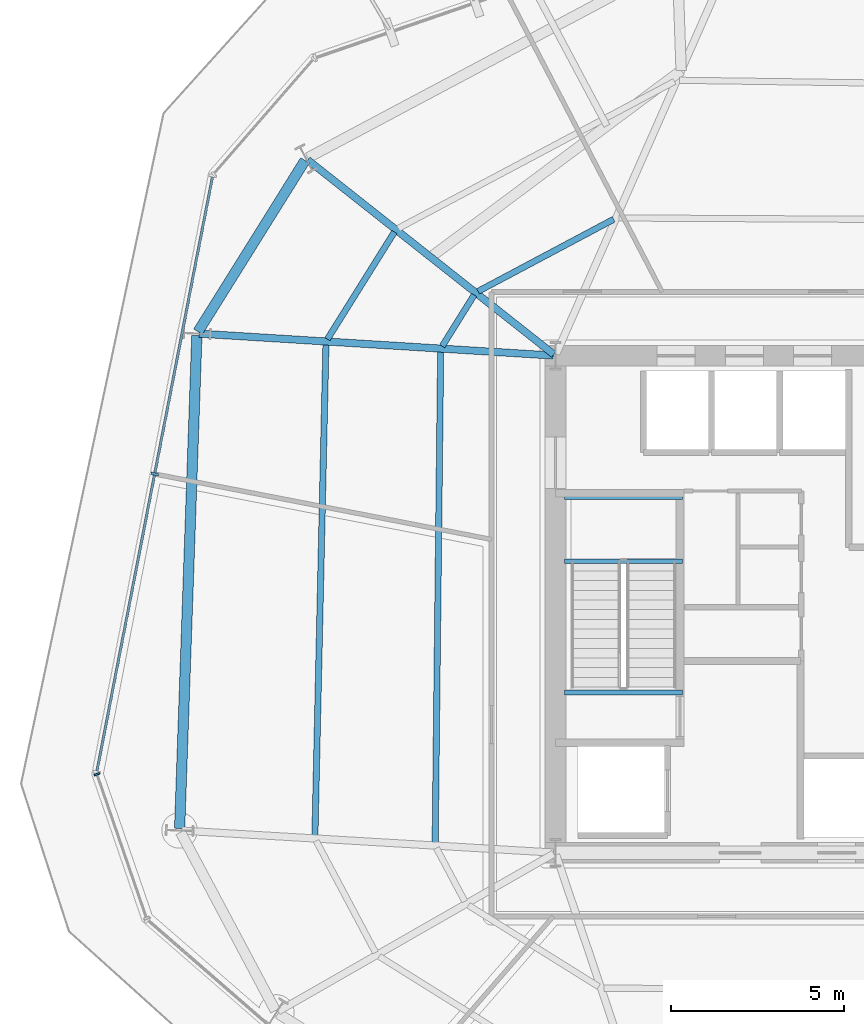
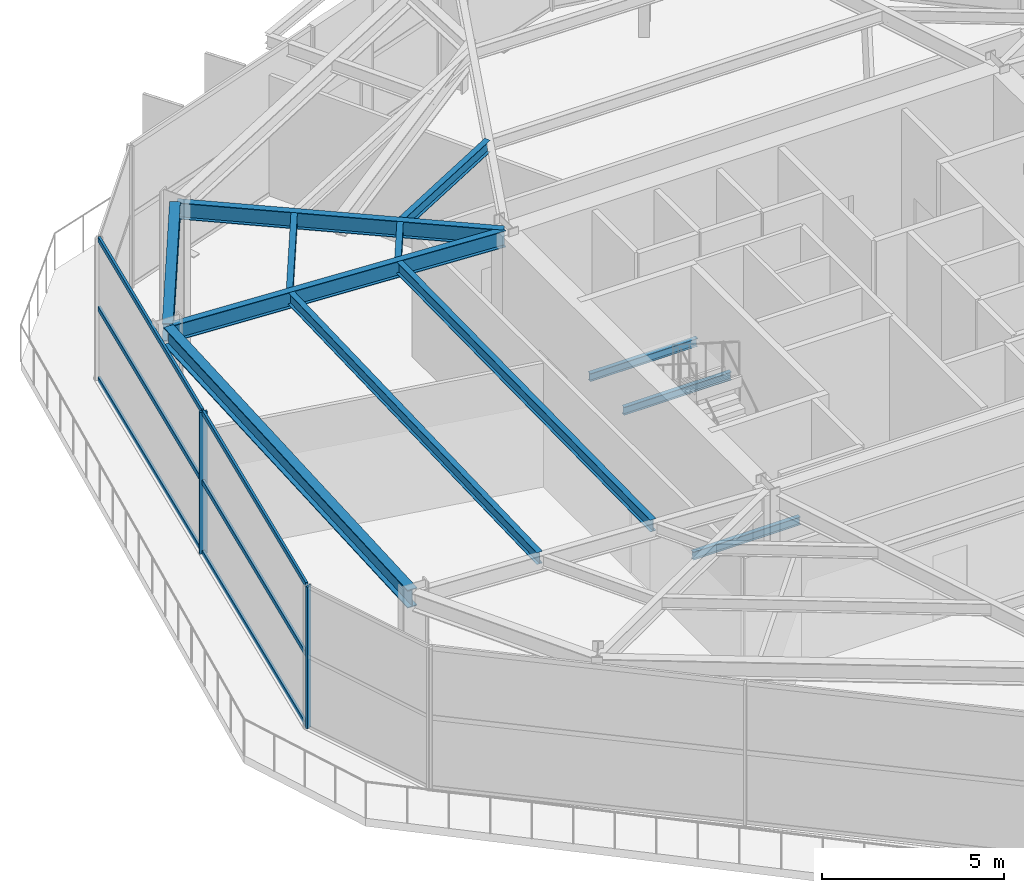
# One storey, part 4 of 16: 12 beams, 8 members, 2 elements without a shape of their own.
"""IFC4 building model written with IfcOpenShell, lengths in metres."""

from ifc_helpers import new_model, si_unit, direction, frame, origin, origin_2d, place, context, subcontext, project, spatial, rectangle, i_section, extrude, material, layer, layer_set, material_profile, profile_set, type_object, element, aggregate, save


model = new_model("IFC4")

# Units and contexts
model_context = context("Model", 3, precision=1e-05, world=origin(), true_north=direction((0.0, 1.0)))
body_context = subcontext(model_context, "Body", "Model", "MODEL_VIEW")
ifc_project = project(units=[si_unit("LENGTHUNIT", "METRE"), si_unit("AREAUNIT", "SQUARE_METRE"), si_unit("VOLUMEUNIT", "CUBIC_METRE"), si_unit("PLANEANGLEUNIT", "RADIAN"), si_unit("MASSUNIT", "GRAM", prefix="KILO")], contexts=[model_context])

# Site, building, storey
site_placement = place(None, origin())
site = spatial("IfcSite", under=ifc_project, at=site_placement, CompositionType="ELEMENT")
building_placement = place(site_placement, origin())
building = spatial("IfcBuilding", under=site, at=building_placement, Name="Kranzbogen Civic Tower", CompositionType="ELEMENT")
storey_placement = place(building_placement, frame((0.0, 0.0, 97.39990234375)))
storey = spatial("IfcBuildingStorey", under=building, at=storey_placement, Name="L23", CompositionType="ELEMENT", Elevation=97.39990234375)

# Curtain wall, member
ifc_material_1 = material(Name="Pale Anodised Aluminium", Category="aluminium")
ifc_layer_1 = layer(ifc_material_1, 0.219970703125, Name="Pale Anodised Aluminium")
ifc_layer_set_1 = layer_set([ifc_layer_1], Name="Pale Anodised Aluminium")
curtain_wall_type_1 = type_object("IfcCurtainWallType", Name="Chamfer Facet Stick Curtain Wall System CW-06", PredefinedType="USERDEFINED", material=ifc_layer_set_1)
curtain_wall_1_placement = place(storey_placement, origin())
curtain_wall_1 = element("IfcCurtainWall", 1, at=curtain_wall_1_placement, inside=storey, type_object=curtain_wall_type_1, Name="L23 curtain wall CW-L23-C3", ObjectType="STICK CURTAIN WALL", PredefinedType="USERDEFINED")
ifc_material_profile_1 = material_profile(ifc_material_1, rectangle(XDim=0.06005859375, YDim=0.159912109375, at=origin_2d()), Name="ALU-M 60x160")
ifc_profile_set_1 = profile_set([ifc_material_profile_1], Name="Pale Anodised Aluminium")
member_type_1 = type_object("IfcMemberType", Name="Curtain Wall Mullion ALU-M 60x160", PredefinedType="MULLION", material=ifc_profile_set_1)
member_1_placement = place(storey_placement, frame((3.914794921875, 20.07275390625, 0.0), z_axis=(0.0, 0.0, 1.0), x_axis=(0.325604710902, -0.945505987415, 0.0)))
member_1 = element("IfcMember", 2, at=member_1_placement, type_object=member_type_1, Name="CW-06 mullion 1", PredefinedType="MULLION", context=body_context, shape_type="SweptSolid", body=[
    extrude(rectangle(XDim=0.06005859375, YDim=0.159912109375, at=origin_2d()), origin(), (0.0, 0.0, 1.0), 4.760009765625),
])
aggregate(curtain_wall_1, [member_1])

# Curtain wall, members
ifc_layer_2 = layer(ifc_material_1, 0.219970703125, Name="Pale Anodised Aluminium")
ifc_layer_set_2 = layer_set([ifc_layer_2], Name="Pale Anodised Aluminium")
curtain_wall_type_2 = type_object("IfcCurtainWallType", Name="Zone 2 Stick Curtain Wall System CW-03", PredefinedType="USERDEFINED", material=ifc_layer_set_2)
curtain_wall_2_placement = place(storey_placement, origin())
curtain_wall_2 = element("IfcCurtainWall", 3, at=curtain_wall_2_placement, inside=storey, type_object=curtain_wall_type_2, Name="L23 curtain wall CW-L23-F3", ObjectType="STICK CURTAIN WALL", PredefinedType="USERDEFINED")
ifc_material_profile_2 = material_profile(ifc_material_1, rectangle(XDim=0.074951171875, YDim=0.219970703125, at=origin_2d()), Name="ALU-M 75x220")
ifc_profile_set_2 = profile_set([ifc_material_profile_2], Name="Pale Anodised Aluminium")
member_type_2 = type_object("IfcMemberType", Name="Curtain Wall Mullion ALU-M 75x220", PredefinedType="MULLION", material=ifc_profile_set_2)
member_2_placement = place(storey_placement, frame((5.591064453125, 28.77294921875, 0.0), z_axis=(0.0, 0.0, 1.0), x_axis=(-0.190845421179, -0.981620102288, 0.0)))
member_2 = element("IfcMember", 4, at=member_2_placement, type_object=member_type_2, Name="CW-03 mullion 2", PredefinedType="MULLION", context=body_context, shape_type="SweptSolid", body=[
    extrude(rectangle(XDim=0.074951171875, YDim=0.219970703125, at=origin_2d()), origin(), (0.0, 0.0, 1.0), 4.760009765625),
])
ifc_material_profile_3 = material_profile(ifc_material_1, rectangle(XDim=0.074951171875, YDim=0.1650390625, at=origin_2d()), Name="ALU-T 75x165")
ifc_profile_set_3 = profile_set([ifc_material_profile_3], Name="Pale Anodised Aluminium")
member_type_3 = type_object("IfcMemberType", Name="Curtain Wall Transom ALU-T 75x165", PredefinedType="USERDEFINED", material=ifc_profile_set_3)
member_3_placement = place(storey_placement, frame((7.265625, 37.385986328125, 0.030029296875), z_axis=(-0.190862186044, -0.981616842734, 0.0), x_axis=(0.981616842734, -0.190862186044, 0.0)))
member_3 = element("IfcMember", 5, at=member_3_placement, type_object=member_type_3, Name="CW-03 transom 1.1", ObjectType="TRANSOM", PredefinedType="USERDEFINED", context=body_context, shape_type="SweptSolid", body=[
    extrude(rectangle(XDim=0.074951171875, YDim=0.1650390625, at=origin_2d()), origin(), (0.0, 0.0, 1.0), 8.744140625),
])
member_4_placement = place(storey_placement, frame((7.265625, 37.385986328125, 2.400146484375), z_axis=(-0.190862186044, -0.981616842734, 0.0), x_axis=(0.981616842734, -0.190862186044, 0.0)))
member_4 = element("IfcMember", 6, at=member_4_placement, type_object=member_type_3, Name="CW-03 transom 1.2", ObjectType="TRANSOM", PredefinedType="USERDEFINED", context=body_context, shape_type="SweptSolid", body=[
    extrude(rectangle(XDim=0.074951171875, YDim=0.1650390625, at=origin_2d()), origin(), (0.0, 0.0, 1.0), 8.744140625),
])
member_5_placement = place(storey_placement, frame((7.265625, 37.385986328125, 4.72998046875), z_axis=(-0.190862186044, -0.981616842734, 0.0), x_axis=(0.981616842734, -0.190862186044, 0.0)))
member_5 = element("IfcMember", 7, at=member_5_placement, type_object=member_type_3, Name="CW-03 transom 1.3", ObjectType="TRANSOM", PredefinedType="USERDEFINED", context=body_context, shape_type="SweptSolid", body=[
    extrude(rectangle(XDim=0.074951171875, YDim=0.1650390625, at=origin_2d()), origin(), (0.0, 0.0, 1.0), 8.744140625),
])
member_6_placement = place(storey_placement, frame((5.585205078125, 28.74365234375, 0.030029296875), z_axis=(-0.190830052641, -0.981623090096, 0.0), x_axis=(0.981623090096, -0.190830052641, 0.0)))
member_6 = element("IfcMember", 8, at=member_6_placement, type_object=member_type_3, Name="CW-03 transom 2.1", ObjectType="TRANSOM", PredefinedType="USERDEFINED", context=body_context, shape_type="SweptSolid", body=[
    extrude(rectangle(XDim=0.074951171875, YDim=0.1650390625, at=origin_2d()), origin(), (0.0, 0.0, 1.0), 8.744384765625),
])
member_7_placement = place(storey_placement, frame((5.585205078125, 28.74365234375, 2.400146484375), z_axis=(-0.190830052641, -0.981623090096, 0.0), x_axis=(0.981623090096, -0.190830052641, 0.0)))
member_7 = element("IfcMember", 9, at=member_7_placement, type_object=member_type_3, Name="CW-03 transom 2.2", ObjectType="TRANSOM", PredefinedType="USERDEFINED", context=body_context, shape_type="SweptSolid", body=[
    extrude(rectangle(XDim=0.074951171875, YDim=0.1650390625, at=origin_2d()), origin(), (0.0, 0.0, 1.0), 8.744384765625),
])
member_8_placement = place(storey_placement, frame((5.585205078125, 28.74365234375, 4.72998046875), z_axis=(-0.190830052641, -0.981623090096, 0.0), x_axis=(0.981623090096, -0.190830052641, 0.0)))
member_8 = element("IfcMember", 10, at=member_8_placement, type_object=member_type_3, Name="CW-03 transom 2.3", ObjectType="TRANSOM", PredefinedType="USERDEFINED", context=body_context, shape_type="SweptSolid", body=[
    extrude(rectangle(XDim=0.074951171875, YDim=0.1650390625, at=origin_2d()), origin(), (0.0, 0.0, 1.0), 8.744384765625),
])
aggregate(curtain_wall_2, [member_2, member_3, member_4, member_5, member_6, member_7, member_8])

# Beams
ifc_material_2 = material(Name="Steel S355", Category="steel")
ifc_material_profile_4 = material_profile(ifc_material_2, i_section(OverallWidth=0.300048828125, OverallDepth=0.60009765625, WebThickness=0.015380859375, FlangeThickness=0.030029296875, at=origin_2d()), Name="HEB 600")
ifc_profile_set_4 = profile_set([ifc_material_profile_4], Name="Steel S355")
beam_type_1 = type_object("IfcBeamType", Name="Perimeter Tube Spandrel Beam HEB 600", PredefinedType="SPANDREL", material=ifc_profile_set_4)
beam_1_placement = place(storey_placement, frame((9.945068359375, 37.85693359375, 4.460205078125), z_axis=(-0.529863902903, -0.848082687242, 0.0), x_axis=(0.848082687242, -0.529863902903, 0.0)))
element("IfcBeam", 11, at=beam_1_placement, inside=storey, type_object=beam_type_1, Name="L23 perimeter spandrel beam 11", PredefinedType="SPANDREL", context=body_context, shape_type="SweptSolid", body=[
    extrude(i_section(OverallWidth=0.300048828125, OverallDepth=0.60009765625, WebThickness=0.015380859375, FlangeThickness=0.030029296875, at=origin_2d()), origin(), (0.0, 0.0, 1.0), 5.850830078125),
])
beam_2_placement = place(storey_placement, frame((6.81103515625, 32.783935546875, 4.460205078125), z_axis=(-0.034924229103, -0.999389963038, 0.0), x_axis=(0.999389963038, -0.034924229103, 0.0)))
element("IfcBeam", 12, at=beam_2_placement, inside=storey, type_object=beam_type_1, Name="L23 perimeter spandrel beam 12", PredefinedType="SPANDREL", context=body_context, shape_type="SweptSolid", body=[
    extrude(i_section(OverallWidth=0.300048828125, OverallDepth=0.60009765625, WebThickness=0.015380859375, FlangeThickness=0.030029296875, at=origin_2d()), origin(), (0.0, 0.0, 1.0), 14.288818359375),
])
ifc_material_profile_5 = material_profile(ifc_material_2, i_section(OverallWidth=0.2099609375, OverallDepth=0.550048828125, WebThickness=0.010986328125, FlangeThickness=0.01708984375, at=origin_2d()), Name="IPE 550")
ifc_profile_set_5 = profile_set([ifc_material_profile_5], Name="Steel S355")
beam_type_2 = type_object("IfcBeamType", Name="Radial Tower Floor Girder IPE 550", PredefinedType="BEAM", material=ifc_profile_set_5)
beam_3_placement = place(storey_placement, frame((10.02392578125, 37.87109375, 4.485107421875), z_axis=(0.78457455683, -0.620034486763, 0.0), x_axis=(0.620034486763, 0.78457455683, 0.0)))
element("IfcBeam", 13, at=beam_3_placement, inside=storey, type_object=beam_type_2, Name="L23 radial floor girder 11", PredefinedType="BEAM", context=body_context, shape_type="SweptSolid", body=[
    extrude(i_section(OverallWidth=0.2099609375, OverallDepth=0.550048828125, WebThickness=0.010986328125, FlangeThickness=0.01708984375, at=origin_2d()), origin(), (0.0, 0.0, 1.0), 9.086669921875),
])
beam_4_placement = place(storey_placement, frame((6.873046875, 32.840087890625, 4.485107421875), z_axis=(0.998086872961, -0.061827130147, 0.0), x_axis=(0.061827130147, 0.998086872961, 0.0)))
element("IfcBeam", 14, at=beam_4_placement, inside=storey, type_object=beam_type_2, Name="L23 radial floor girder 12", PredefinedType="BEAM", context=body_context, shape_type="SweptSolid", body=[
    extrude(i_section(OverallWidth=0.2099609375, OverallDepth=0.550048828125, WebThickness=0.010986328125, FlangeThickness=0.01708984375, at=origin_2d()), origin(), (0.0, 0.0, 1.0), 10.28662109375),
])
ifc_material_profile_6 = material_profile(ifc_material_2, i_section(OverallWidth=0.179931640625, OverallDepth=0.39990234375, WebThickness=0.008544921875, FlangeThickness=0.013427734375, at=origin_2d()), Name="IPE 400")
ifc_profile_set_6 = profile_set([ifc_material_profile_6], Name="Steel S355")
beam_type_3 = type_object("IfcBeamType", Name="Secondary Composite Floor Joist IPE 400", PredefinedType="JOIST", material=ifc_profile_set_6)
beam_5_placement = place(storey_placement, frame((18.888916015625, 36.153076171875, 4.56005859375), z_axis=(-0.882991399158, -0.469389165844, 0.0), x_axis=(0.469389165844, -0.882991399158, 0.0)))
element("IfcBeam", 15, at=beam_5_placement, inside=storey, type_object=beam_type_3, Name="L23 secondary floor joist 2.10", PredefinedType="JOIST", context=body_context, shape_type="SweptSolid", body=[
    extrude(i_section(OverallWidth=0.179931640625, OverallDepth=0.39990234375, WebThickness=0.008544921875, FlangeThickness=0.013427734375, at=origin_2d()), origin(), (0.0, 0.0, 1.0), 4.45068359375),
])
beam_6_placement = place(storey_placement, frame((12.534912109375, 35.784912109375, 4.56005859375), z_axis=(-0.529867065107, -0.848080711557, 0.0), x_axis=(0.848080711557, -0.529867065107, 0.0)))
element("IfcBeam", 16, at=beam_6_placement, inside=storey, type_object=beam_type_3, Name="L23 secondary floor joist 1.11", PredefinedType="JOIST", context=body_context, shape_type="SweptSolid", body=[
    extrude(i_section(OverallWidth=0.179931640625, OverallDepth=0.39990234375, WebThickness=0.008544921875, FlangeThickness=0.013427734375, at=origin_2d()), origin(), (0.0, 0.0, 1.0), 3.6611328125),
])
beam_7_placement = place(storey_placement, frame((14.845947265625, 33.958984375, 4.56005859375), z_axis=(-0.529572623603, -0.84826460278, 0.0), x_axis=(0.84826460278, -0.529572623603, 0.0)))
element("IfcBeam", 17, at=beam_7_placement, inside=storey, type_object=beam_type_3, Name="L23 secondary floor joist 2.11", PredefinedType="JOIST", context=body_context, shape_type="SweptSolid", body=[
    extrude(i_section(OverallWidth=0.179931640625, OverallDepth=0.39990234375, WebThickness=0.008544921875, FlangeThickness=0.013427734375, at=origin_2d()), origin(), (0.0, 0.0, 1.0), 1.75048828125),
])
beam_8_placement = place(storey_placement, frame((10.551025390625, 32.531982421875, 4.56005859375), z_axis=(-0.022402523442, -0.999749031979, 0.0), x_axis=(0.999749031979, -0.022402523442, 0.0)))
element("IfcBeam", 18, at=beam_8_placement, inside=storey, type_object=beam_type_3, Name="L23 secondary floor joist 1.12", PredefinedType="JOIST", context=body_context, shape_type="SweptSolid", body=[
    extrude(i_section(OverallWidth=0.179931640625, OverallDepth=0.39990234375, WebThickness=0.008544921875, FlangeThickness=0.013427734375, at=origin_2d()), origin(), (0.0, 0.0, 1.0), 14.24365234375),
])
beam_9_placement = place(storey_placement, frame((13.875, 32.325927734375, 4.56005859375), z_axis=(-0.011160516663, -0.999937719494, 0.0), x_axis=(0.999937719494, -0.011160516663, 0.0)))
element("IfcBeam", 19, at=beam_9_placement, inside=storey, type_object=beam_type_3, Name="L23 secondary floor joist 2.12", PredefinedType="JOIST", context=body_context, shape_type="SweptSolid", body=[
    extrude(i_section(OverallWidth=0.179931640625, OverallDepth=0.39990234375, WebThickness=0.008544921875, FlangeThickness=0.013427734375, at=origin_2d()), origin(), (0.0, 0.0, 1.0), 14.240966796875),
])
ifc_material_profile_7 = material_profile(ifc_material_2, i_section(OverallWidth=0.135009765625, OverallDepth=0.27001953125, WebThickness=0.006591796875, FlangeThickness=0.01025390625, at=origin_2d()), Name="IPE 270")
ifc_profile_set_7 = profile_set([ifc_material_profile_7], Name="Steel S355")
beam_type_4 = type_object("IfcBeamType", Name="Stair Landing Support Beam IPE 270", PredefinedType="JOIST", material=ifc_profile_set_7)
for number, where, z_axis, x_axis, name in (
    (20, (20.8798828125, 22.43994140625, -0.39501953125), (-1.0, 0.0, 0.0), (0.0, -1.0, 0.0), "L23 ST-T1 stair floor header beam"),
    (21, (20.8798828125, 26.239990234375, 2.1650390625), (-1.0, 0.0, 0.0), (0.0, -1.0, 0.0), "L23 ST-T1 landing support beam 1.1"),
    (22, (20.8798828125, 28.10009765625, 2.1650390625), (-1.0, 0.0, 0.0), (0.0, -1.0, 0.0), "L23 ST-T1 landing support beam 1.2"),
):
    element("IfcBeam", number, at=place(storey_placement, frame(where, z_axis=z_axis, x_axis=x_axis)), inside=storey, type_object=beam_type_4, Name=name, PredefinedType="JOIST", context=body_context, shape_type="SweptSolid", body=[
        extrude(i_section(OverallWidth=0.135009765625, OverallDepth=0.27001953125, WebThickness=0.006591796875, FlangeThickness=0.01025390625, at=origin_2d()), origin(), (0.0, 0.0, 1.0), 3.409912109375),
    ])

save(model, "model.ifc")
